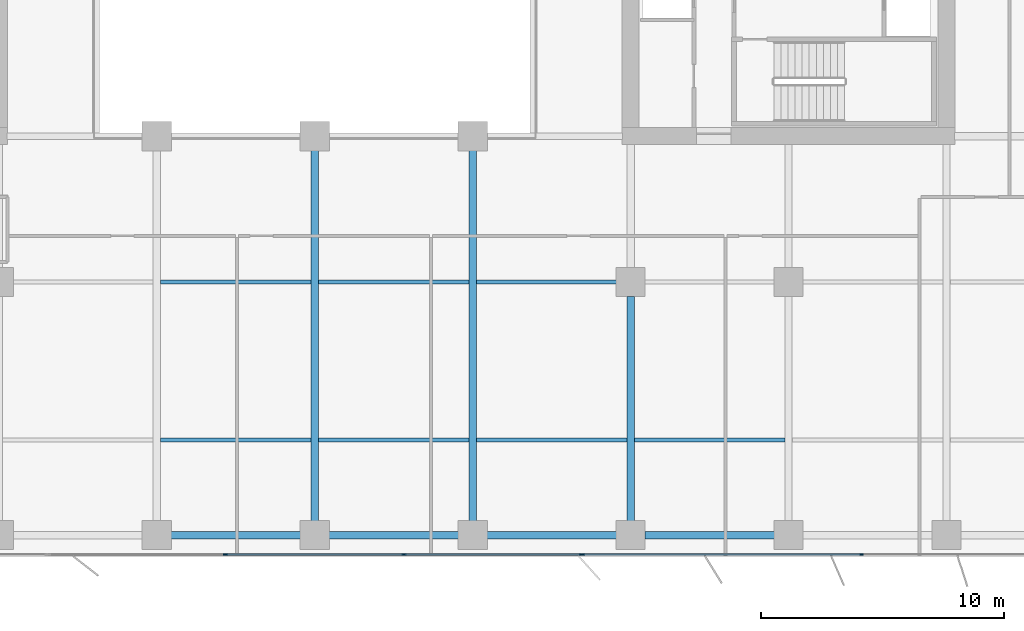
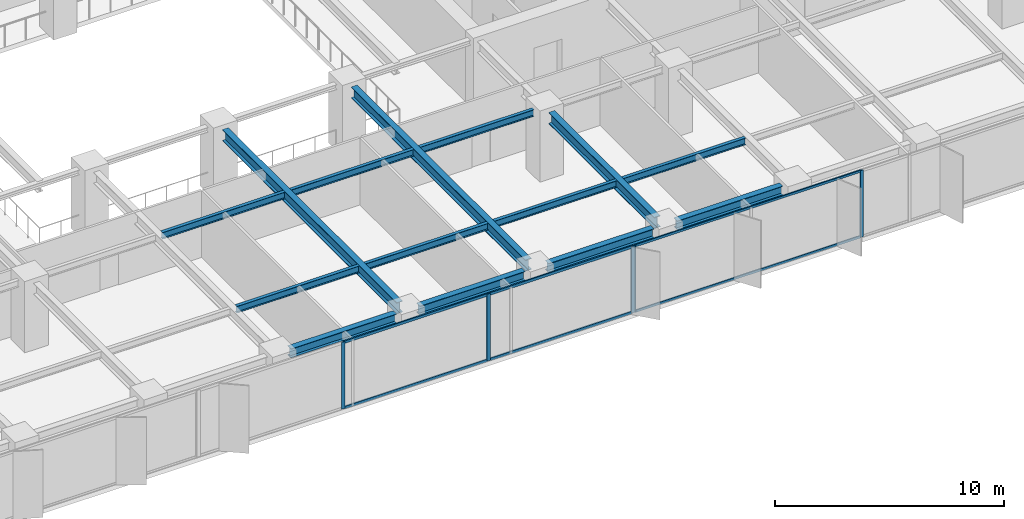
# One storey, part 5 of 20: 14 beams, 11 members, 2 elements without a shape of their own.
"""IFC4 building model written with IfcOpenShell, lengths in metres."""

from ifc_helpers import new_model, si_unit, direction, frame, origin, origin_2d, place, context, subcontext, project, spatial, rectangle, i_section, extrude, material, layer, layer_set, material_profile, profile_set, type_object, element, aggregate, save


model = new_model("IFC4")

# Units and contexts
model_context = context("Model", 3, precision=1e-05, world=origin(), true_north=direction((0.0, 1.0)))
body_context = subcontext(model_context, "Body", "Model", "MODEL_VIEW")
ifc_project = project(units=[si_unit("LENGTHUNIT", "METRE"), si_unit("AREAUNIT", "SQUARE_METRE"), si_unit("VOLUMEUNIT", "CUBIC_METRE"), si_unit("PLANEANGLEUNIT", "RADIAN"), si_unit("MASSUNIT", "GRAM", prefix="KILO")], contexts=[model_context])

# Site, building, storey
site_placement = place(None, origin())
site = spatial("IfcSite", under=ifc_project, at=site_placement, CompositionType="ELEMENT")
building_placement = place(site_placement, origin())
building = spatial("IfcBuilding", under=site, at=building_placement, Name="Putna Gate Headquarters", CompositionType="ELEMENT")
storey_placement = place(building_placement, frame((0.0, 0.0, 116.39990234375)))
storey = spatial("IfcBuildingStorey", under=building, at=storey_placement, Name="L28", CompositionType="ELEMENT", Elevation=116.39990234375)

# Beams
ifc_material_1 = material(Name="Steel S355J2", Category="steel")
ifc_material_profile_1 = material_profile(ifc_material_1, i_section(OverallWidth=0.300048828125, OverallDepth=0.60009765625, WebThickness=0.015380859375, FlangeThickness=0.030029296875, at=origin_2d()), Name="Steel S355J2")
ifc_profile_set_1 = profile_set([ifc_material_profile_1], Name="Steel S355J2")
beam_type_1 = type_object("IfcBeamType", Name="BM-GIRD-Z2-HEB600", PredefinedType="USERDEFINED", material=ifc_profile_set_1)
for number, where, z_axis, x_axis, name in (
    (1, (39.0, 3.16796875, 3.26513671875), (0.0, 1.0, 0.0), (-1.0, 0.0, 0.0), "L28 South Primary Girder X39"),
    (2, (45.5, 3.16796875, 3.26513671875), (0.0, 1.0, 0.0), (-1.0, 0.0, 0.0), "L28 South Primary Girder X45"),
):
    element("IfcBeam", number, at=place(storey_placement, frame(where, z_axis=z_axis, x_axis=x_axis)), inside=storey, type_object=beam_type_1, Name=name, ObjectType="GIRDER", PredefinedType="USERDEFINED", context=body_context, shape_type="SweptSolid", body=[
        extrude(i_section(OverallWidth=0.300048828125, OverallDepth=0.60009765625, WebThickness=0.015380859375, FlangeThickness=0.030029296875, at=origin_2d()), origin(), (0.0, 0.0, 1.0), 15.244140625),
    ])
beam_1_placement = place(storey_placement, frame((52.0, 3.16796875, 3.26513671875), z_axis=(0.0, 1.0, 0.0), x_axis=(-1.0, 0.0, 0.0)))
element("IfcBeam", 3, at=beam_1_placement, inside=storey, type_object=beam_type_1, Name="L28 South Primary Girder X52-1", ObjectType="GIRDER", PredefinedType="USERDEFINED", context=body_context, shape_type="SweptSolid", body=[
    extrude(i_section(OverallWidth=0.300048828125, OverallDepth=0.60009765625, WebThickness=0.015380859375, FlangeThickness=0.030029296875, at=origin_2d()), origin(), (0.0, 0.0, 1.0), 9.244140625),
])
ifc_material_profile_2 = material_profile(ifc_material_1, i_section(OverallWidth=0.169921875, OverallDepth=0.360107421875, WebThickness=0.008056640625, FlangeThickness=0.0126953125, at=origin_2d()), Name="Steel S355J2")
ifc_profile_set_2 = profile_set([ifc_material_profile_2], Name="Steel S355J2")
beam_type_2 = type_object("IfcBeamType", Name="BM-SEC-Z2-IPE360", PredefinedType="BEAM", material=ifc_profile_set_2)
for number, where, z_axis, x_axis, name in (
    (4, (32.654052734375, 6.5, 3.385009765625), (1.0, 0.0, 0.0), (0.0, 1.0, 0.0), "L28 South Secondary Beam 5"),
    (5, (32.654052734375, 13.0, 3.385009765625), (1.0, 0.0, 0.0), (0.0, 1.0, 0.0), "L28 South Secondary Beam 5"),
    (6, (39.154052734375, 6.5, 3.385009765625), (1.0, 0.0, 0.0), (0.0, 1.0, 0.0), "L28 South Secondary Beam 6"),
    (7, (39.154052734375, 13.0, 3.385009765625), (1.0, 0.0, 0.0), (0.0, 1.0, 0.0), "L28 South Secondary Beam 6"),
    (8, (45.654052734375, 6.5, 3.385009765625), (1.0, 0.0, 0.0), (0.0, 1.0, 0.0), "L28 South Secondary Beam 7"),
):
    element("IfcBeam", number, at=place(storey_placement, frame(where, z_axis=z_axis, x_axis=x_axis)), inside=storey, type_object=beam_type_2, Name=name, PredefinedType="BEAM", context=body_context, shape_type="SweptSolid", body=[
        extrude(i_section(OverallWidth=0.169921875, OverallDepth=0.360107421875, WebThickness=0.008056640625, FlangeThickness=0.0126953125, at=origin_2d()), origin(), (0.0, 0.0, 1.0), 6.19189453125),
    ])
beam_2_placement = place(storey_placement, frame((45.654052734375, 13.0, 3.385009765625), z_axis=(1.0, 0.0, 0.0), x_axis=(0.0, 1.0, 0.0)))
element("IfcBeam", 9, at=beam_2_placement, inside=storey, type_object=beam_type_2, Name="L28 South Secondary Beam 7", PredefinedType="BEAM", context=body_context, shape_type="SweptSolid", body=[
    extrude(i_section(OverallWidth=0.169921875, OverallDepth=0.360107421875, WebThickness=0.008056640625, FlangeThickness=0.0126953125, at=origin_2d()), origin(), (0.0, 0.0, 1.0), 5.758056640625),
])
beam_3_placement = place(storey_placement, frame((52.154052734375, 6.5, 3.385009765625), z_axis=(1.0, 0.0, 0.0), x_axis=(0.0, 1.0, 0.0)))
element("IfcBeam", 10, at=beam_3_placement, inside=storey, type_object=beam_type_2, Name="L28 South Secondary Beam 8", PredefinedType="BEAM", context=body_context, shape_type="SweptSolid", body=[
    extrude(i_section(OverallWidth=0.169921875, OverallDepth=0.360107421875, WebThickness=0.008056640625, FlangeThickness=0.0126953125, at=origin_2d()), origin(), (0.0, 0.0, 1.0), 6.19189453125),
])
ifc_material_profile_3 = material_profile(ifc_material_1, i_section(OverallWidth=0.300048828125, OverallDepth=0.489990234375, WebThickness=0.011962890625, FlangeThickness=0.02294921875, at=origin_2d()), Name="Steel S355J2")
ifc_profile_set_3 = profile_set([ifc_material_profile_3], Name="Steel S355J2")
beam_type_3 = type_object("IfcBeamType", Name="BM-SPAN-Z2-HEA500", PredefinedType="SPANDREL", material=ifc_profile_set_3)
for number, where, z_axis, x_axis, name in (
    (11, (33.087890625, 2.580078125, 3.320068359375), (1.0, 0.0, 0.0), (0.0, 1.0, 0.0), "L28 S Perimeter Spandrel 5"),
    (12, (39.587890625, 2.580078125, 3.320068359375), (1.0, 0.0, 0.0), (0.0, 1.0, 0.0), "L28 S Perimeter Spandrel 6"),
    (13, (46.087890625, 2.580078125, 3.320068359375), (1.0, 0.0, 0.0), (0.0, 1.0, 0.0), "L28 S Perimeter Spandrel 7"),
    (14, (52.587890625, 2.580078125, 3.320068359375), (1.0, 0.0, 0.0), (0.0, 1.0, 0.0), "L28 S Perimeter Spandrel 8"),
):
    element("IfcBeam", number, at=place(storey_placement, frame(where, z_axis=z_axis, x_axis=x_axis)), inside=storey, type_object=beam_type_3, Name=name, PredefinedType="SPANDREL", context=body_context, shape_type="SweptSolid", body=[
        extrude(i_section(OverallWidth=0.300048828125, OverallDepth=0.489990234375, WebThickness=0.011962890625, FlangeThickness=0.02294921875, at=origin_2d()), origin(), (0.0, 0.0, 1.0), 5.32421875),
    ])

# Curtain wall, members
ifc_material_2 = material(Name="Anodised bronze aluminium curtain wall", Category="aluminium")
ifc_layer_1 = layer(ifc_material_2, 0.159912109375)
ifc_layer_set_1 = layer_set([ifc_layer_1], Name="Anodised bronze aluminium curtain wall")
curtain_wall_type_1 = type_object("IfcCurtainWallType", Name="CW-SYS-Z2", PredefinedType="USERDEFINED", material=ifc_layer_set_1)
curtain_wall_1_placement = place(storey_placement, origin())
curtain_wall_1 = element("IfcCurtainWall", 15, at=curtain_wall_1_placement, inside=storey, type_object=curtain_wall_type_1, Name="L28 South East Curtain Wall", ObjectType="STICK CURTAIN WALL", PredefinedType="USERDEFINED")
ifc_material_3 = material(Name="Anodised bronze aluminium EN AW-6060", Category="aluminium")
ifc_material_profile_4 = material_profile(ifc_material_3, rectangle(XDim=0.06494140625, YDim=0.159912109375, at=origin_2d()), Name="Anodised bronze aluminium EN AW-6060")
ifc_profile_set_4 = profile_set([ifc_material_profile_4], Name="Anodised bronze aluminium EN AW-6060")
member_type_1 = type_object("IfcMemberType", Name="MULL-CWM-2", PredefinedType="MULLION", material=ifc_profile_set_4)
member_1_placement = place(storey_placement, frame((50.032470703125, 1.780029296875, 0.0), z_axis=(0.0, 0.0, 1.0), x_axis=(0.0, 1.0, 0.0)))
member_1 = element("IfcMember", 16, at=member_1_placement, type_object=member_type_1, Name="CWS-2 mullion 1", PredefinedType="MULLION", context=body_context, shape_type="SweptSolid", body=[
    extrude(rectangle(XDim=0.06494140625, YDim=0.159912109375, at=origin_2d()), origin(), (0.0, 0.0, 1.0), 3.565185546875),
])
member_2_placement = place(storey_placement, frame((61.5, 1.780029296875, 0.0), z_axis=(0.0, 0.0, 1.0), x_axis=(0.0, 1.0, 0.0)))
member_2 = element("IfcMember", 17, at=member_2_placement, type_object=member_type_1, Name="CWS-2 mullion 2", PredefinedType="MULLION", context=body_context, shape_type="SweptSolid", body=[
    extrude(rectangle(XDim=0.06494140625, YDim=0.159912109375, at=origin_2d()), origin(), (0.0, 0.0, 1.0), 3.565185546875),
])

ifc_layer_2 = layer(ifc_material_2, 0.179931640625)
ifc_layer_set_2 = layer_set([ifc_layer_2], Name="Anodised bronze aluminium curtain wall")
curtain_wall_type_2 = type_object("IfcCurtainWallType", Name="CW-SYS-ATR", PredefinedType="USERDEFINED", material=ifc_layer_set_2)
curtain_wall_2_placement = place(storey_placement, origin())
curtain_wall_2 = element("IfcCurtainWall", 18, at=curtain_wall_2_placement, inside=storey, type_object=curtain_wall_type_2, Name="L28 South Atrium Clear Glazing", ObjectType="ATRIUM GLAZING", PredefinedType="USERDEFINED")
ifc_material_profile_5 = material_profile(ifc_material_3, rectangle(XDim=0.070068359375, YDim=0.179931640625, at=origin_2d()), Name="Anodised bronze aluminium EN AW-6060")
ifc_profile_set_5 = profile_set([ifc_material_profile_5], Name="Anodised bronze aluminium EN AW-6060")
member_type_2 = type_object("IfcMemberType", Name="MULL-CWM-AT", PredefinedType="MULLION", material=ifc_profile_set_5)
member_3_placement = place(storey_placement, frame((35.333251953125, 1.780029296875, 0.0), z_axis=(0.0, 0.0, 1.0), x_axis=(0.0, 1.0, 0.0)))
member_3 = element("IfcMember", 19, at=member_3_placement, type_object=member_type_2, Name="CWS-AT mullion 2", PredefinedType="MULLION", context=body_context, shape_type="SweptSolid", body=[
    extrude(rectangle(XDim=0.070068359375, YDim=0.179931640625, at=origin_2d()), origin(), (0.0, 0.0, 1.0), 3.565185546875),
])
member_4_placement = place(storey_placement, frame((42.666748046875, 1.780029296875, 0.0), z_axis=(0.0, 0.0, 1.0), x_axis=(0.0, 1.0, 0.0)))
member_4 = element("IfcMember", 20, at=member_4_placement, type_object=member_type_2, Name="CWS-AT mullion 3", PredefinedType="MULLION", context=body_context, shape_type="SweptSolid", body=[
    extrude(rectangle(XDim=0.070068359375, YDim=0.179931640625, at=origin_2d()), origin(), (0.0, 0.0, 1.0), 3.565185546875),
])
member_5_placement = place(storey_placement, frame((49.965087890625, 1.780029296875, 0.0), z_axis=(0.0, 0.0, 1.0), x_axis=(0.0, 1.0, 0.0)))
member_5 = element("IfcMember", 21, at=member_5_placement, type_object=member_type_2, Name="CWS-AT mullion 4", PredefinedType="MULLION", context=body_context, shape_type="SweptSolid", body=[
    extrude(rectangle(XDim=0.070068359375, YDim=0.179931640625, at=origin_2d()), origin(), (0.0, 0.0, 1.0), 3.565185546875),
])

# Member
ifc_material_profile_6 = material_profile(ifc_material_3, rectangle(XDim=0.06494140625, YDim=0.1201171875, at=origin_2d()), Name="Anodised bronze aluminium EN AW-6060")
ifc_profile_set_6 = profile_set([ifc_material_profile_6], Name="Anodised bronze aluminium EN AW-6060")
member_type_3 = type_object("IfcMemberType", Name="TRAN-CWT-2", PredefinedType="USERDEFINED", material=ifc_profile_set_6)
member_6_placement = place(storey_placement, frame((50.06494140625, 1.780029296875, 0.03271484375), z_axis=(1.0, 0.0, 0.0), x_axis=(0.0, 1.0, 0.0)))
member_6 = element("IfcMember", 22, at=member_6_placement, type_object=member_type_3, Name="CWS-2 transom 1.1", ObjectType="TRANSOM", PredefinedType="USERDEFINED", context=body_context, shape_type="SweptSolid", body=[
    extrude(rectangle(XDim=0.06494140625, YDim=0.1201171875, at=origin_2d()), origin(), (0.0, 0.0, 1.0), 11.402587890625),
])

member_7_placement = place(storey_placement, frame((50.06494140625, 1.780029296875, 3.53271484375), z_axis=(1.0, 0.0, 0.0), x_axis=(0.0, 1.0, 0.0)))
member_7 = element("IfcMember", 23, at=member_7_placement, type_object=member_type_3, Name="CWS-2 transom 1.2", ObjectType="TRANSOM", PredefinedType="USERDEFINED", context=body_context, shape_type="SweptSolid", body=[
    extrude(rectangle(XDim=0.06494140625, YDim=0.1201171875, at=origin_2d()), origin(), (0.0, 0.0, 1.0), 11.402587890625),
])

aggregate(curtain_wall_1, [member_1, member_2, member_6, member_7])

ifc_material_profile_7 = material_profile(ifc_material_3, rectangle(XDim=0.070068359375, YDim=0.139892578125, at=origin_2d()), Name="Anodised bronze aluminium EN AW-6060")
ifc_profile_set_7 = profile_set([ifc_material_profile_7], Name="Anodised bronze aluminium EN AW-6060")
member_type_4 = type_object("IfcMemberType", Name="TRAN-CWT-AT", PredefinedType="USERDEFINED", material=ifc_profile_set_7)
member_8_placement = place(storey_placement, frame((35.368408203125, 1.780029296875, 0.03515625), z_axis=(1.0, 0.0, 0.0), x_axis=(0.0, 1.0, 0.0)))
member_8 = element("IfcMember", 24, at=member_8_placement, type_object=member_type_4, Name="CWS-AT transom 2.1", ObjectType="TRANSOM", PredefinedType="USERDEFINED", context=body_context, shape_type="SweptSolid", body=[
    extrude(rectangle(XDim=0.070068359375, YDim=0.139892578125, at=origin_2d()), origin(), (0.0, 0.0, 1.0), 7.26318359375),
])

member_9_placement = place(storey_placement, frame((35.368408203125, 1.780029296875, 3.530029296875), z_axis=(1.0, 0.0, 0.0), x_axis=(0.0, 1.0, 0.0)))
member_9 = element("IfcMember", 25, at=member_9_placement, type_object=member_type_4, Name="CWS-AT transom 2.2", ObjectType="TRANSOM", PredefinedType="USERDEFINED", context=body_context, shape_type="SweptSolid", body=[
    extrude(rectangle(XDim=0.070068359375, YDim=0.139892578125, at=origin_2d()), origin(), (0.0, 0.0, 1.0), 7.26318359375),
])

member_10_placement = place(storey_placement, frame((42.70166015625, 1.780029296875, 0.03515625), z_axis=(1.0, 0.0, 0.0), x_axis=(0.0, 1.0, 0.0)))
member_10 = element("IfcMember", 26, at=member_10_placement, type_object=member_type_4, Name="CWS-AT transom 3.1", ObjectType="TRANSOM", PredefinedType="USERDEFINED", context=body_context, shape_type="SweptSolid", body=[
    extrude(rectangle(XDim=0.070068359375, YDim=0.139892578125, at=origin_2d()), origin(), (0.0, 0.0, 1.0), 7.228271484375),
])

member_11_placement = place(storey_placement, frame((42.70166015625, 1.780029296875, 3.530029296875), z_axis=(1.0, 0.0, 0.0), x_axis=(0.0, 1.0, 0.0)))
member_11 = element("IfcMember", 27, at=member_11_placement, type_object=member_type_4, Name="CWS-AT transom 3.2", ObjectType="TRANSOM", PredefinedType="USERDEFINED", context=body_context, shape_type="SweptSolid", body=[
    extrude(rectangle(XDim=0.070068359375, YDim=0.139892578125, at=origin_2d()), origin(), (0.0, 0.0, 1.0), 7.228271484375),
])

aggregate(curtain_wall_2, [member_3, member_4, member_5, member_8, member_9, member_10, member_11])

save(model, "model.ifc")
